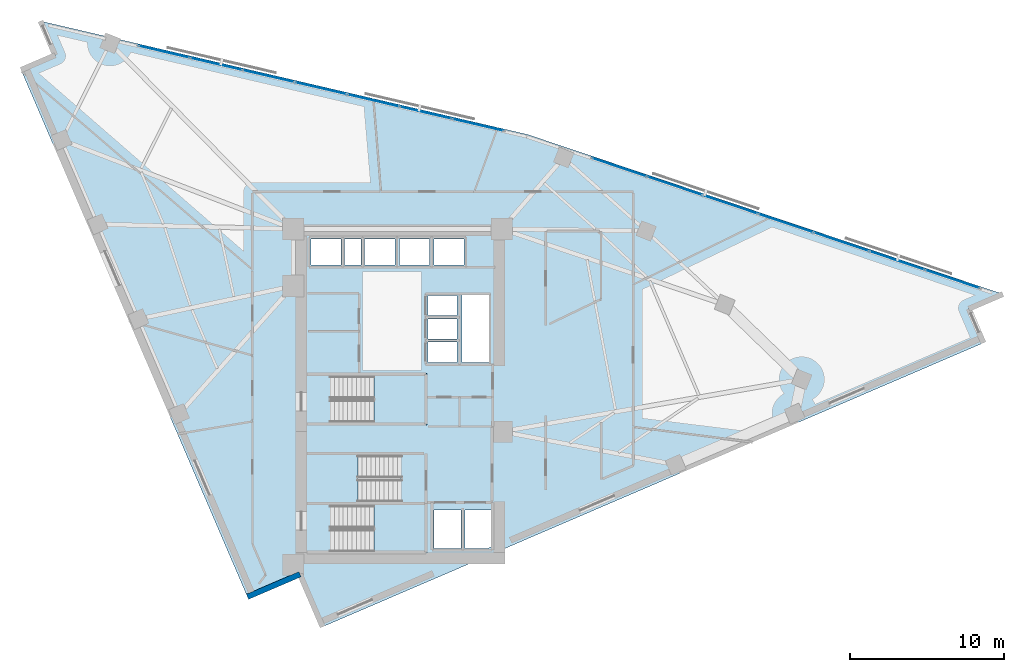
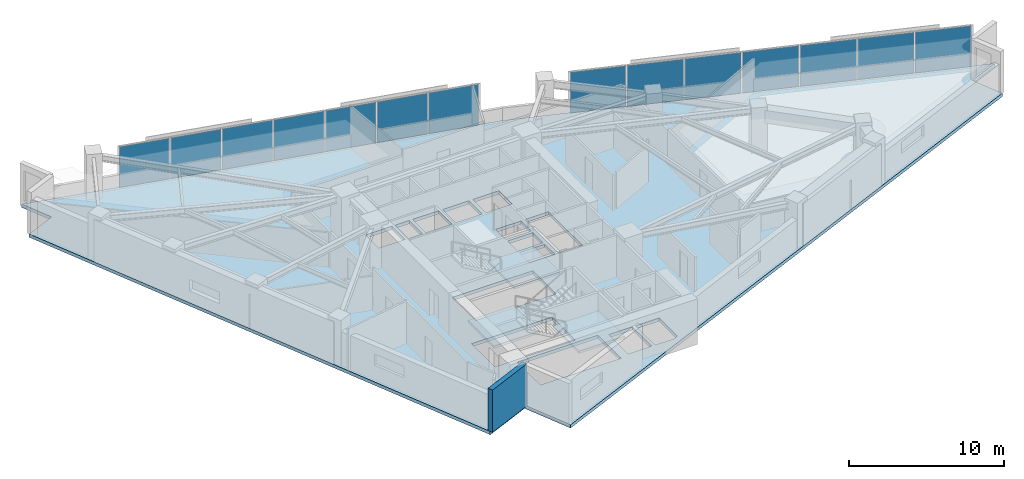
# One storey, part 8 of 14: 14 plates, 4 slabs, 1 wall, 5 elements without a shape of their own.
"""IFC4 building model written with IfcOpenShell, lengths in metres."""

import ifcopenshell
import ifcopenshell.guid

model = None  # the IFC model being written
_history = None  # IfcOwnerHistory: only IFC2X3 demands one
_inside = {}  # id of a spatial element -> (the spatial element, [elements in it])
_under = {}  # id of a project, library or spatial element -> (it, [spatial elements below it])
_declared = {}  # id of a project -> (the project, [libraries it declares])
_typed = {}  # id of a type object -> (the type object, [elements of that type])
_made_of = {}  # id of a material, layer set ... -> (it, [elements and type objects made of it])


def new_model(schema):
    """Start an empty IFC model of exactly this schema.

    Asked for "IFC4X3", IfcOpenShell would pick the latest addendum, in which some entities
    have other attributes; the version numbers below select the first issue.
    IFC2X3 requires an IfcOwnerHistory on every rooted entity: one is made here for all.
    """
    global model, _history
    if schema == "IFC4X3":
        model = ifcopenshell.file(schema_version=(4, 3, 0, 0))
    else:
        model = ifcopenshell.file(schema=schema)
    _inside.clear()
    _under.clear()
    _declared.clear()
    _typed.clear()
    _made_of.clear()
    _history = None
    if model.schema == "IFC2X3":
        org = make("IfcOrganization", Name="unknown")
        user = make(
            "IfcPersonAndOrganization",
            ThePerson=make("IfcPerson", FamilyName="unknown"),
            TheOrganization=org,
        )
        app = make(
            "IfcApplication",
            ApplicationDeveloper=org,
            Version="unknown",
            ApplicationFullName="unknown",
            ApplicationIdentifier="unknown",
        )
        _history = make(
            "IfcOwnerHistory",
            OwningUser=user,
            OwningApplication=app,
            ChangeAction="ADDED",
            CreationDate=0,
        )
    return model


def make(cls, **values):
    """One entity of the class cls with the attributes given. An attribute that is None is left unset."""
    return model.create_entity(
        cls, **{name: value for name, value in values.items() if value is not None}
    )


def rooted(cls, **values):
    """An entity with a GlobalId (a new one), such as an element, a storey or a relation."""
    return make(cls, GlobalId=ifcopenshell.guid.new(), OwnerHistory=_history, **values)


def si_unit(unit_type, name, prefix=None):
    """IfcSIUnit, for example si_unit("LENGTHUNIT", "METRE", prefix="MILLI")."""
    return make("IfcSIUnit", UnitType=unit_type, Prefix=prefix, Name=name)


def assignment(units):
    """IfcUnitAssignment: the units of a project."""
    return None if units is None else make("IfcUnitAssignment", Units=units)


def point(xyz):
    """IfcCartesianPoint."""
    return None if xyz is None else make("IfcCartesianPoint", Coordinates=xyz)


def direction(xyz):
    """IfcDirection."""
    return None if xyz is None else make("IfcDirection", DirectionRatios=xyz)


def frame(location, z_axis=None, x_axis=None):
    """IfcAxis2Placement3D, a coordinate frame: its origin and axes. An axis left out is left unset."""
    return make(
        "IfcAxis2Placement3D",
        Location=point(location),
        Axis=direction(z_axis),
        RefDirection=direction(x_axis),
    )


def frame_2d(location, x_axis=None):
    """IfcAxis2Placement2D, a coordinate frame in the plane: its origin and x axis."""
    return make(
        "IfcAxis2Placement2D", Location=point(location), RefDirection=direction(x_axis)
    )


def origin():
    """The frame at (0, 0, 0) with its axes left unset."""
    return frame((0.0, 0.0, 0.0))


def origin_2d():
    """The frame at (0, 0) in the plane with its x axis left unset."""
    return frame_2d((0.0, 0.0))


def place(relative_to, where):
    """IfcLocalPlacement: puts the frame where relative to a parent placement (None: the world)."""
    return make(
        "IfcLocalPlacement", PlacementRelTo=relative_to, RelativePlacement=where
    )


def context(
    kind, dimensions, precision=None, world=None, true_north=None, identifier=None
):
    """IfcGeometricRepresentationContext, for example the 3D "Model" context."""
    return make(
        "IfcGeometricRepresentationContext",
        ContextIdentifier=identifier,
        ContextType=kind,
        CoordinateSpaceDimension=dimensions,
        Precision=precision,
        WorldCoordinateSystem=world,
        TrueNorth=true_north,
    )


def subcontext(parent, identifier, kind, view, scale=None):
    """IfcGeometricRepresentationSubContext, for example "Body" below "Model"."""
    return make(
        "IfcGeometricRepresentationSubContext",
        ContextIdentifier=identifier,
        ContextType=kind,
        ParentContext=parent,
        TargetScale=scale,
        TargetView=view,
    )


def project(units=None, contexts=None):
    """IfcProject with its units and contexts."""
    return rooted(
        "IfcProject",
        Name="project",
        RepresentationContexts=contexts,
        UnitsInContext=assignment(units),
    )


def spatial(cls, under=None, at=None, **own):
    """A site, building, storey or space (cls), placed at a placement, below another one or the project."""
    s = rooted(cls, ObjectPlacement=at, **own)
    if under is not None:
        _under.setdefault(under.id(), (under, []))[1].append(s)
    return s


def polyline(points):
    """IfcPolyline through the points."""
    return make("IfcPolyline", Points=[point(p) for p in points])


def profile(cls, at=None, kind="AREA", **sizes):
    """A parametric profile (cls). Its sizes go by their IFC names, for example OverallWidth=200.0."""
    return make(cls, ProfileType=kind, Position=at, **sizes)


def rectangle(**sizes):
    """IfcRectangleProfileDef."""
    return profile("IfcRectangleProfileDef", **sizes)


def outline(outer, holes=None, kind="AREA"):
    """IfcArbitraryClosedProfileDef: a profile drawn as a closed curve; with holes, ...WithVoids."""
    if holes is None:
        return make("IfcArbitraryClosedProfileDef", ProfileType=kind, OuterCurve=outer)
    return make(
        "IfcArbitraryProfileDefWithVoids",
        ProfileType=kind,
        OuterCurve=outer,
        InnerCurves=holes,
    )


def extrude(swept, where, along, depth):
    """IfcExtrudedAreaSolid: the profile swept, set in the frame where, extruded along a direction by depth."""
    return make(
        "IfcExtrudedAreaSolid",
        SweptArea=swept,
        Position=where,
        ExtrudedDirection=direction(along),
        Depth=depth,
    )


def shape(context_of_items, identifier, shape_type, items):
    """IfcShapeRepresentation: the items that make up one representation, for example the "Body"."""
    return make(
        "IfcShapeRepresentation",
        ContextOfItems=context_of_items,
        RepresentationIdentifier=identifier,
        RepresentationType=shape_type,
        Items=items,
    )


def material(Name=None, Category=None):
    """IfcMaterial."""
    return make("IfcMaterial", Name=Name, Category=Category)


def layer(
    of_material, thickness, ventilated=None, Name=None, Category=None, Priority=None
):
    """IfcMaterialLayer: one layer of a wall or slab, of a material (None: an air gap)."""
    return make(
        "IfcMaterialLayer",
        Material=of_material,
        LayerThickness=thickness,
        IsVentilated=ventilated,
        Name=Name,
        Category=Category,
        Priority=Priority,
    )


def layer_set(layers, Name=None):
    """IfcMaterialLayerSet."""
    return make("IfcMaterialLayerSet", MaterialLayers=layers, LayerSetName=Name)


def made_of(thing, what):
    """Note that an element or type object is made of a material, layer set ...; save() writes the relation."""
    if what is not None:
        _made_of.setdefault(what.id(), (what, []))[1].append(thing)
    return thing


def type_object(cls, material=None, **own):
    """A type object (cls), such as IfcWallType, which elements share."""
    return made_of(rooted(cls, **own), material)


def element(
    cls,
    number,
    at=None,
    inside=None,
    cuts=None,
    type_object=None,
    material=None,
    context=None,
    identifier="Body",
    shape_type=None,
    held_by="IfcProductDefinitionShape",
    body=None,
    shapes=None,
    **own,
):
    """One element of the class cls, such as IfcWall. Its Tag is "e" and its number.

    at: its placement. inside: the storey or other place that contains it. cuts: it is an
    opening in that element (IfcRelVoidsElement). A single representation is given by context,
    identifier, shape_type and body (its items); several are given by shapes. held_by: the class
    of the entity that holds the representations. save() writes the other relations.
    """
    e = rooted(cls, Tag="e%d" % number, ObjectPlacement=at, **own)
    if body is not None:
        shapes = [shape(context, identifier, shape_type, body)]
    if shapes is not None:
        e.Representation = make(held_by, Representations=shapes)
    if inside is not None:
        _inside.setdefault(inside.id(), (inside, []))[1].append(e)
    if cuts is not None:
        rooted(
            "IfcRelVoidsElement", RelatingBuildingElement=cuts, RelatedOpeningElement=e
        )
    if type_object is not None:
        _typed.setdefault(type_object.id(), (type_object, []))[1].append(e)
    return made_of(e, material)


def aggregate(whole, parts):
    """IfcRelAggregates: a whole, such as a stair, and the parts it consists of."""
    return rooted("IfcRelAggregates", RelatingObject=whole, RelatedObjects=parts)


def save(model, path):
    """Write the relations noted so far, then the file.

    IfcRelAggregates (storeys below a building ...), IfcRelContainedInSpatialStructure (elements
    in a storey), IfcRelDefinesByType, IfcRelAssociatesMaterial and IfcRelDeclares: one each for
    every whole, place, type object, material and project.
    """
    for whole, parts in _under.values():
        aggregate(whole, parts)
    for where, things in _inside.values():
        rooted(
            "IfcRelContainedInSpatialStructure",
            RelatedElements=things,
            RelatingStructure=where,
        )
    for kind, things in _typed.values():
        rooted("IfcRelDefinesByType", RelatedObjects=things, RelatingType=kind)
    for what, things in _made_of.values():
        rooted("IfcRelAssociatesMaterial", RelatedObjects=things, RelatingMaterial=what)
    for by, libraries in _declared.values():
        rooted("IfcRelDeclares", RelatingContext=by, RelatedDefinitions=libraries)
    model.write(path)


model = new_model("IFC4")

# Units and contexts
model_context = context("Model", 3, precision=1e-05, world=origin(), true_north=direction((0.0, 1.0)))
body_context = subcontext(model_context, "Body", "Model", "MODEL_VIEW")
ifc_project = project(units=[si_unit("LENGTHUNIT", "METRE"), si_unit("AREAUNIT", "SQUARE_METRE"), si_unit("VOLUMEUNIT", "CUBIC_METRE"), si_unit("PLANEANGLEUNIT", "RADIAN"), si_unit("MASSUNIT", "GRAM", prefix="KILO")], contexts=[model_context])

# Site, building, storey
site_placement = place(None, origin())
site = spatial("IfcSite", under=ifc_project, at=site_placement, CompositionType="ELEMENT")
building_placement = place(site_placement, origin())
building = spatial("IfcBuilding", under=site, at=building_placement, Name="Narakoshi Arena Tower", CompositionType="ELEMENT")
storey_placement = place(building_placement, frame((0.0, 0.0, 175.5)))
storey = spatial("IfcBuildingStorey", under=building, at=storey_placement, Name="L47", CompositionType="ELEMENT", Elevation=175.5)

# Curtain wall, plates
ifc_material_1 = material(Name="Anodised bronze aluminium 6063-T6", Category="aluminium")
curtain_wall_type = type_object("IfcCurtainWallType", Name="CW-HYP-MID", PredefinedType="NOTDEFINED", material=ifc_material_1)
curtain_wall_1_placement = place(storey_placement, origin())
curtain_wall_1 = element("IfcCurtainWall", 1, at=curtain_wall_1_placement, inside=storey, type_object=curtain_wall_type, Name="L47 Folded Hypotenuse Curtain Wall 1-1", PredefinedType="NOTDEFINED")
ifc_material_2 = material(Name="Bronze-tinted low-E laminated glass", Category="glass")
ifc_layer_1 = layer(ifc_material_2, 0.0380859375)
ifc_layer_set_1 = layer_set([ifc_layer_1], Name="Bronze-tinted low-E laminated glass")
plate_type = type_object("IfcPlateType", Name="PLT-GLZ-38", PredefinedType="CURTAIN_PANEL", material=ifc_layer_set_1)
plate_1_placement = place(storey_placement, frame((114.78466796875, 53.2509765625, 0.06494140625), z_axis=(0.0, 0.0, 1.0), x_axis=(-0.948003144077, 0.318260960253, 0.0)))
plate_1 = element("IfcPlate", 2, at=plate_1_placement, type_object=plate_type, Name="CW-02 panel 1.1", PredefinedType="CURTAIN_PANEL", context=body_context, shape_type="SweptSolid", body=[
    extrude(rectangle(XDim=3.69287109375, YDim=0.0380859375, at=origin_2d()), origin(), (0.0, 0.0, 1.0), 3.2099609375),
])
plate_2_placement = place(storey_placement, frame((111.19482421875, 54.4560546875, 0.06494140625), z_axis=(0.0, 0.0, 1.0), x_axis=(-0.948003144077, 0.318260960253, 0.0)))
plate_2 = element("IfcPlate", 3, at=plate_2_placement, type_object=plate_type, Name="CW-02 panel 2.1", PredefinedType="CURTAIN_PANEL", context=body_context, shape_type="SweptSolid", body=[
    extrude(rectangle(XDim=3.73046875, YDim=0.0380859375, at=origin_2d()), origin(), (0.0, 0.0, 1.0), 3.2099609375),
])
plate_3_placement = place(storey_placement, frame((107.58740234375, 55.667236328125, 0.06494140625), z_axis=(0.0, 0.0, 1.0), x_axis=(-0.948003144077, 0.318260960253, 0.0)))
plate_3 = element("IfcPlate", 4, at=plate_3_placement, type_object=plate_type, Name="CW-02 panel 3.1", PredefinedType="CURTAIN_PANEL", context=body_context, shape_type="SweptSolid", body=[
    extrude(rectangle(XDim=3.73046875, YDim=0.0380859375, at=origin_2d()), origin(), (0.0, 0.0, 1.0), 3.2099609375),
])
plate_4_placement = place(storey_placement, frame((103.979736328125, 56.87841796875, 0.06494140625), z_axis=(0.0, 0.0, 1.0), x_axis=(-0.948003144077, 0.318260960253, 0.0)))
plate_4 = element("IfcPlate", 5, at=plate_4_placement, type_object=plate_type, Name="CW-02 panel 4.1", PredefinedType="CURTAIN_PANEL", context=body_context, shape_type="SweptSolid", body=[
    extrude(rectangle(XDim=3.73046875, YDim=0.0380859375, at=origin_2d()), origin(), (0.0, 0.0, 1.0), 3.2099609375),
])
plate_5_placement = place(storey_placement, frame((100.3720703125, 58.089599609375, 0.06494140625), z_axis=(0.0, 0.0, 1.0), x_axis=(-0.948003144077, 0.318260960253, 0.0)))
plate_5 = element("IfcPlate", 6, at=plate_5_placement, type_object=plate_type, Name="CW-02 panel 5.1", PredefinedType="CURTAIN_PANEL", context=body_context, shape_type="SweptSolid", body=[
    extrude(rectangle(XDim=3.73046875, YDim=0.0380859375, at=origin_2d()), origin(), (0.0, 0.0, 1.0), 3.2099609375),
])
plate_6_placement = place(storey_placement, frame((96.7646484375, 59.300537109375, 0.06494140625), z_axis=(0.0, 0.0, 1.0), x_axis=(-0.948003144077, 0.318260960253, 0.0)))
plate_6 = element("IfcPlate", 7, at=plate_6_placement, type_object=plate_type, Name="CW-02 panel 6.1", PredefinedType="CURTAIN_PANEL", context=body_context, shape_type="SweptSolid", body=[
    extrude(rectangle(XDim=3.73046875, YDim=0.0380859375, at=origin_2d()), origin(), (0.0, 0.0, 1.0), 3.2099609375),
])
plate_7_placement = place(storey_placement, frame((93.1748046875, 60.505859375, 0.06494140625), z_axis=(0.0, 0.0, 1.0), x_axis=(-0.948003144077, 0.318260960253, 0.0)))
plate_7 = element("IfcPlate", 8, at=plate_7_placement, type_object=plate_type, Name="CW-02 panel 7.1", PredefinedType="CURTAIN_PANEL", context=body_context, shape_type="SweptSolid", body=[
    extrude(rectangle(XDim=3.69287109375, YDim=0.0380859375, at=origin_2d()), origin(), (0.0, 0.0, 1.0), 3.2099609375),
])
aggregate(curtain_wall_1, [plate_1, plate_2, plate_3, plate_4, plate_5, plate_6, plate_7])

curtain_wall_2_placement = place(storey_placement, origin())
curtain_wall_2 = element("IfcCurtainWall", 9, at=curtain_wall_2_placement, inside=storey, type_object=curtain_wall_type, Name="L47 Folded Hypotenuse Curtain Wall 2-1", PredefinedType="NOTDEFINED")
plate_8_placement = place(storey_placement, frame((83.994384765625, 63.260986328125, 0.06494140625), z_axis=(0.0, 0.0, 1.0), x_axis=(-0.973959704148, 0.226721182724, 0.0)))
plate_8 = element("IfcPlate", 10, at=plate_8_placement, type_object=plate_type, Name="CW-02 panel 1.1", PredefinedType="CURTAIN_PANEL", context=body_context, shape_type="SweptSolid", body=[
    extrude(rectangle(XDim=3.37939453125, YDim=0.0380859375, at=origin_2d()), origin(), (0.0, 0.0, 1.0), 3.2099609375),
])
plate_9_placement = place(storey_placement, frame((80.61181640625, 64.048583984375, 0.06494140625), z_axis=(0.0, 0.0, 1.0), x_axis=(-0.973959704148, 0.226721182724, 0.0)))
plate_9 = element("IfcPlate", 11, at=plate_9_placement, type_object=plate_type, Name="CW-02 panel 2.1", PredefinedType="CURTAIN_PANEL", context=body_context, shape_type="SweptSolid", body=[
    extrude(rectangle(XDim=3.416748046875, YDim=0.0380859375, at=origin_2d()), origin(), (0.0, 0.0, 1.0), 3.2099609375),
])
plate_10_placement = place(storey_placement, frame((77.2109375, 64.840087890625, 0.06494140625), z_axis=(0.0, 0.0, 1.0), x_axis=(-0.973959704148, 0.226721182724, 0.0)))
plate_10 = element("IfcPlate", 12, at=plate_10_placement, type_object=plate_type, Name="CW-02 panel 3.1", PredefinedType="CURTAIN_PANEL", context=body_context, shape_type="SweptSolid", body=[
    extrude(rectangle(XDim=3.416748046875, YDim=0.0380859375, at=origin_2d()), origin(), (0.0, 0.0, 1.0), 3.2099609375),
])
plate_11_placement = place(storey_placement, frame((73.81005859375, 65.6318359375, 0.06494140625), z_axis=(0.0, 0.0, 1.0), x_axis=(-0.973959704148, 0.226721182724, 0.0)))
plate_11 = element("IfcPlate", 13, at=plate_11_placement, type_object=plate_type, Name="CW-02 panel 4.1", PredefinedType="CURTAIN_PANEL", context=body_context, shape_type="SweptSolid", body=[
    extrude(rectangle(XDim=3.416748046875, YDim=0.0380859375, at=origin_2d()), origin(), (0.0, 0.0, 1.0), 3.2099609375),
])
plate_12_placement = place(storey_placement, frame((70.4091796875, 66.423583984375, 0.06494140625), z_axis=(0.0, 0.0, 1.0), x_axis=(-0.973959704148, 0.226721182724, 0.0)))
plate_12 = element("IfcPlate", 14, at=plate_12_placement, type_object=plate_type, Name="CW-02 panel 5.1", PredefinedType="CURTAIN_PANEL", context=body_context, shape_type="SweptSolid", body=[
    extrude(rectangle(XDim=3.416748046875, YDim=0.0380859375, at=origin_2d()), origin(), (0.0, 0.0, 1.0), 3.2099609375),
])
plate_13_placement = place(storey_placement, frame((67.00830078125, 67.215087890625, 0.06494140625), z_axis=(0.0, 0.0, 1.0), x_axis=(-0.973959704148, 0.226721182724, 0.0)))
plate_13 = element("IfcPlate", 15, at=plate_13_placement, type_object=plate_type, Name="CW-02 panel 6.1", PredefinedType="CURTAIN_PANEL", context=body_context, shape_type="SweptSolid", body=[
    extrude(rectangle(XDim=3.416748046875, YDim=0.0380859375, at=origin_2d()), origin(), (0.0, 0.0, 1.0), 3.2099609375),
])
plate_14_placement = place(storey_placement, frame((63.625732421875, 68.002685546875, 0.06494140625), z_axis=(0.0, 0.0, 1.0), x_axis=(-0.973959704148, 0.226721182724, 0.0)))
plate_14 = element("IfcPlate", 16, at=plate_14_placement, type_object=plate_type, Name="CW-02 panel 7.1", PredefinedType="CURTAIN_PANEL", context=body_context, shape_type="SweptSolid", body=[
    extrude(rectangle(XDim=3.37939453125, YDim=0.0380859375, at=origin_2d()), origin(), (0.0, 0.0, 1.0), 3.2099609375),
])
aggregate(curtain_wall_2, [plate_8, plate_9, plate_10, plate_11, plate_12, plate_13, plate_14])

# Stair, slab
ifc_material_3 = material(Name="Concrete C45/55", Category="concrete")
stair_type = type_object("IfcStairType", Name="STR-CORE-360", PredefinedType="TWO_STRAIGHT_RUN_STAIR", material=ifc_material_3)
stair_1_placement = place(storey_placement, origin())
stair_1 = element("IfcStair", 17, at=stair_1_placement, inside=storey, type_object=stair_type, Name="L47 Core Escape Stair ST1", PredefinedType="TWO_STRAIGHT_RUN_STAIR")
ifc_layer_2 = layer(ifc_material_3, 0.18994140625)
ifc_layer_set_2 = layer_set([ifc_layer_2], Name="Concrete C45/55")
slab_type_1 = type_object("IfcSlabType", Name="SLB-LND-190", PredefinedType="LANDING", material=ifc_layer_set_2)
slab_1_placement = place(storey_placement, frame((0.0, 0.0, 1.610107421875)))
slab_1 = element("IfcSlab", 18, at=slab_1_placement, type_object=slab_type_1, Name="ST1 landing 1", PredefinedType="LANDING", context=body_context, shape_type="SweptSolid", body=[
    extrude(outline(polyline([(77.25, 35.3701171875), (80.679931640625, 35.3701171875), (80.679931640625, 38.72998046875), (77.25, 38.72998046875), (77.25, 35.3701171875)])), origin(), (0.0, 0.0, 1.0), 0.18994140625),
])
aggregate(stair_1, [slab_1])

stair_2_placement = place(storey_placement, origin())
stair_2 = element("IfcStair", 19, at=stair_2_placement, inside=storey, type_object=stair_type, Name="L47 Core Escape Stair ST2", PredefinedType="TWO_STRAIGHT_RUN_STAIR")
slab_2_placement = place(storey_placement, frame((0.0, 0.0, 1.610107421875)))
slab_2 = element("IfcSlab", 20, at=slab_2_placement, type_object=slab_type_1, Name="ST2 landing 1", PredefinedType="LANDING", context=body_context, shape_type="SweptSolid", body=[
    extrude(outline(polyline([(72.77001953125, 38.6201171875), (76.199951171875, 38.6201171875), (76.199951171875, 41.97998046875), (72.77001953125, 41.97998046875), (72.77001953125, 38.6201171875)])), origin(), (0.0, 0.0, 1.0), 0.18994140625),
])
aggregate(stair_2, [slab_2])

stair_3_placement = place(storey_placement, origin())
stair_3 = element("IfcStair", 21, at=stair_3_placement, inside=storey, type_object=stair_type, Name="L47 Core Escape Stair ST3", PredefinedType="TWO_STRAIGHT_RUN_STAIR")
slab_3_placement = place(storey_placement, frame((0.0, 0.0, 1.610107421875)))
slab_3 = element("IfcSlab", 22, at=slab_3_placement, type_object=slab_type_1, Name="ST3 landing 1", PredefinedType="LANDING", context=body_context, shape_type="SweptSolid", body=[
    extrude(outline(polyline([(77.25, 43.77001953125), (80.679931640625, 43.77001953125), (80.679931640625, 47.1298828125), (77.25, 47.1298828125), (77.25, 43.77001953125)])), origin(), (0.0, 0.0, 1.0), 0.18994140625),
])
aggregate(stair_3, [slab_3])

# Slab
ifc_material_4 = material(Name="Concrete C50/60", Category="concrete")
ifc_layer_3 = layer(ifc_material_4, 0.260009765625)
ifc_layer_set_3 = layer_set([ifc_layer_3], Name="Concrete C50/60")
slab_type_2 = type_object("IfcSlabType", Name="SLB-SKY-260", PredefinedType="FLOOR", material=ifc_layer_set_3)
slab_4_placement = place(storey_placement, frame((0.0, 0.0, -0.260009765625)))
element("IfcSlab", 23, at=slab_4_placement, inside=storey, type_object=slab_type_2, Name="L47 Structural Floor Slab", PredefinedType="FLOOR", context=body_context, shape_type="SweptSolid", body=[
    extrude(outline(polyline([(73.9169921875, 30.68115234375), (116.8017578125, 49.105712890625), (115.84912109375, 51.3232421875), (118.06640625, 52.27587890625), (87.201416015625, 62.6376953125), (55.614013671875, 69.99072265625), (56.56640625, 67.7734375), (54.34912109375, 66.82080078125), (69.0400390625, 32.626708984375), (72.451416015625, 34.09228515625), (73.9169921875, 30.68115234375)]), holes=[polyline([(80.5, 35.550048828125), (74.47998046875, 35.550048828125), (74.47998046875, 38.550048828125), (80.5, 38.550048828125), (80.5, 35.550048828125)]), polyline([(82.89990234375, 35.75), (81.14990234375, 35.75), (81.14990234375, 38.25), (82.89990234375, 38.25), (82.89990234375, 35.75)]), polyline([(84.5751953125, 35.75), (83.14990234375, 35.75), (83.14990234375, 38.25), (84.89990234375, 38.25), (84.89990234375, 35.889404296875), (84.5751953125, 35.75)]), polyline([(72.949951171875, 38.800048828125), (72.949951171875, 41.800048828125), (78.969970703125, 41.800048828125), (78.969970703125, 38.800048828125), (72.949951171875, 38.800048828125)]), polyline([(74.47998046875, 43.949951171875), (74.47998046875, 46.949951171875), (80.5, 46.949951171875), (80.5, 43.949951171875), (74.47998046875, 43.949951171875)]), polyline([(82.949951171875, 47.840087890625), (82.949951171875, 52.199951171875), (84.699951171875, 52.199951171875), (84.699951171875, 47.840087890625), (82.949951171875, 47.840087890625)]), polyline([(80.75, 47.85009765625), (80.75, 49.14990234375), (82.64990234375, 49.14990234375), (82.64990234375, 47.85009765625), (80.75, 47.85009765625)]), polyline([(80.75, 49.3701171875), (80.75, 50.669921875), (82.64990234375, 50.669921875), (82.64990234375, 49.3701171875), (80.75, 49.3701171875)]), polyline([(80.75, 50.889892578125), (80.75, 52.18994140625), (82.64990234375, 52.18994140625), (82.64990234375, 50.889892578125), (80.75, 50.889892578125)]), polyline([(73.14990234375, 54.14990234375), (73.14990234375, 55.85009765625), (75.10009765625, 55.85009765625), (75.10009765625, 54.14990234375), (73.14990234375, 54.14990234375)]), polyline([(75.35009765625, 54.14990234375), (75.35009765625, 55.85009765625), (76.39990234375, 55.85009765625), (76.39990234375, 54.14990234375), (75.35009765625, 54.14990234375)]), polyline([(76.64990234375, 54.14990234375), (76.64990234375, 55.85009765625), (78.60009765625, 55.85009765625), (78.60009765625, 54.14990234375), (76.64990234375, 54.14990234375)]), polyline([(78.89990234375, 54.14990234375), (78.89990234375, 55.85009765625), (80.85009765625, 55.85009765625), (80.85009765625, 54.14990234375), (78.89990234375, 54.14990234375)]), polyline([(81.14990234375, 54.14990234375), (81.14990234375, 55.85009765625), (83.10009765625, 55.85009765625), (83.10009765625, 54.14990234375), (81.14990234375, 54.14990234375)])]), origin(), (0.0, 0.0, 1.0), 0.260009765625),
])

# Wall
ifc_material_5 = material(Name="Precast concrete C45/55", Category="concrete")
ifc_layer_4 = layer(ifc_material_5, 0.419921875)
ifc_layer_set_4 = layer_set([ifc_layer_4], Name="Precast concrete C45/55")
wall_type = type_object("IfcWallType", Name="WL-POD-420", PredefinedType="SOLIDWALL", material=ifc_layer_set_4)
wall_placement = place(storey_placement, frame((69.0400390625, 32.626708984375, 0.0), z_axis=(0.0, 0.0, 1.0), x_axis=(0.91879775808, 0.394728615312, 0.0)))
element("IfcWall", 24, at=wall_placement, inside=storey, type_object=wall_type, Name="L47 Re-Entrant Corner Notch Wall NTA-1", PredefinedType="SOLIDWALL", context=body_context, shape_type="SweptSolid", body=[
    extrude(rectangle(XDim=3.712890625, YDim=0.360107421875, at=frame_2d((1.8564453125, 0.0))), origin(), (0.0, 0.0, 1.0), 3.340087890625),
])

save(model, "model.ifc")
